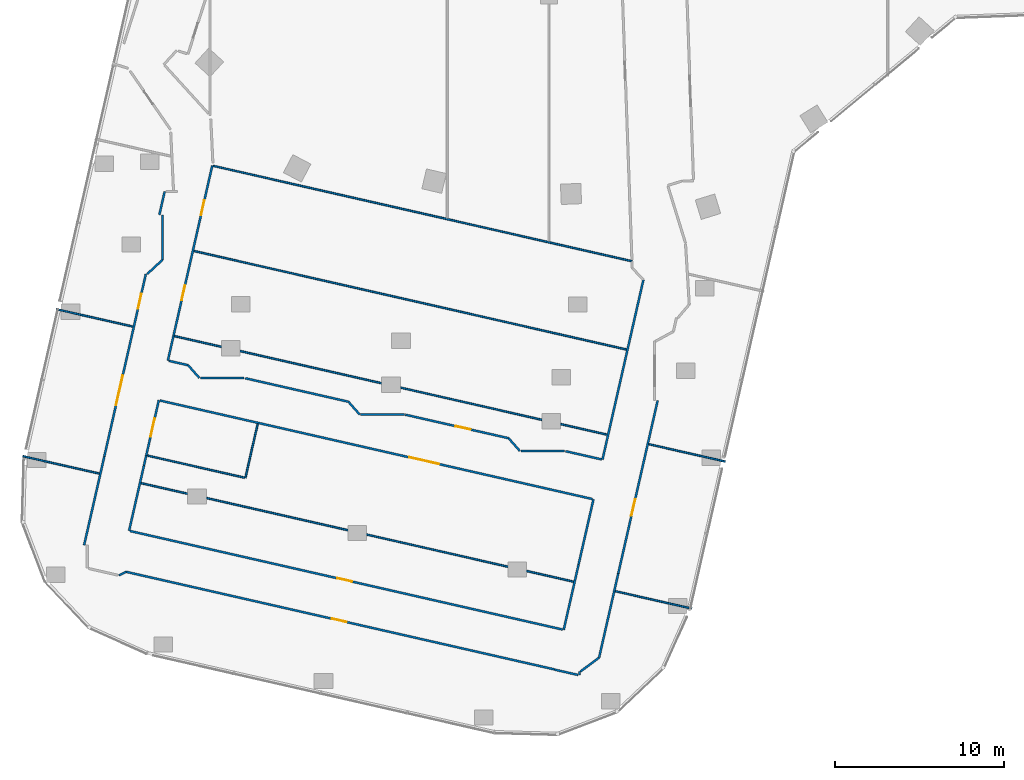
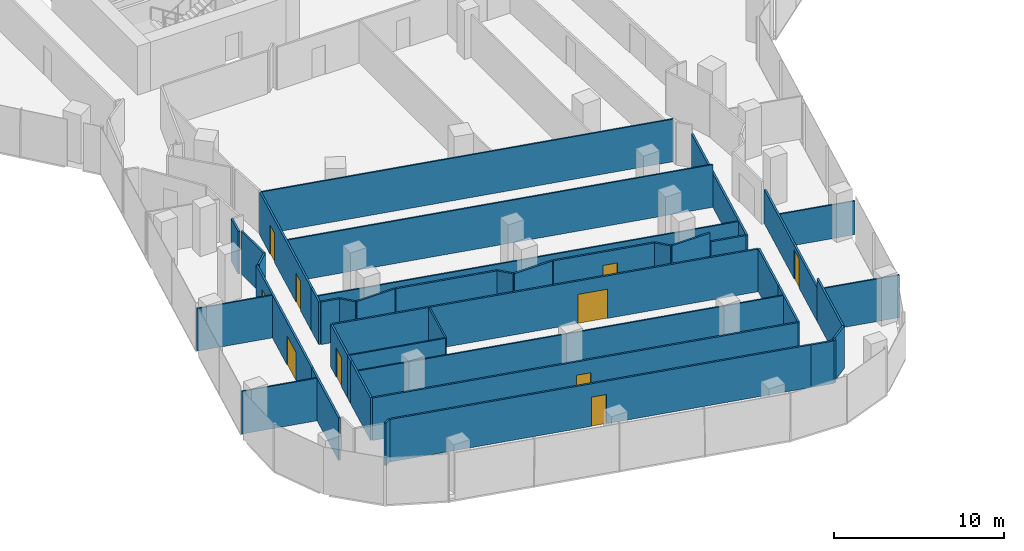
# One storey, part 18 of 23: 42 walls, 10 doors, 10 openings.
"""IFC4 building model written with IfcOpenShell, lengths in metres."""

from ifc_helpers import new_model, si_unit, direction, frame, frame_2d, origin, place, context, subcontext, project, spatial, rectangle, extrude, material, layer, layer_set, type_object, element, fill, save


model = new_model("IFC4")

# Units and contexts
model_context = context("Model", 3, precision=1e-05, world=origin(), true_north=direction((0.0, 1.0)))
body_context = subcontext(model_context, "Body", "Model", "MODEL_VIEW")
ifc_project = project(units=[si_unit("LENGTHUNIT", "METRE"), si_unit("AREAUNIT", "SQUARE_METRE"), si_unit("VOLUMEUNIT", "CUBIC_METRE"), si_unit("PLANEANGLEUNIT", "RADIAN"), si_unit("MASSUNIT", "GRAM", prefix="KILO")], contexts=[model_context])

# Site, building, storey
site_placement = place(None, origin())
site = spatial("IfcSite", under=ifc_project, at=site_placement, CompositionType="ELEMENT")
building_placement = place(site_placement, origin())
building = spatial("IfcBuilding", under=site, at=building_placement, Name="Orlundy Tower", CompositionType="ELEMENT")
storey_placement = place(building_placement, frame((0.0, 0.0, 181.10009765625)))
storey = spatial("IfcBuildingStorey", under=building, at=storey_placement, Name="L47", CompositionType="ELEMENT", Elevation=181.10009765625)

# Walls
ifc_material_1 = material(Name="Gypsum board partition")
ifc_layer_1 = layer(ifc_material_1, 0.10009765625)
ifc_layer_set_1 = layer_set([ifc_layer_1], Name="Floor partition 100")
wall_type_1 = type_object("IfcWallType", Name="Floor partition 100", PredefinedType="PARTITIONING", material=ifc_layer_set_1)
wall_1_placement = place(storey_placement, frame((-31.049072265625, -45.131103515625, 0.0), z_axis=(0.0, 0.0, 1.0), x_axis=(0.975044716765, -0.22200855909, 0.0)))
element("IfcWall", 1, at=wall_1_placement, inside=storey, type_object=wall_type_1, Name="wall-int-L47-019", PredefinedType="PARTITIONING", context=body_context, shape_type="SweptSolid", body=[
    extrude(rectangle(XDim=4.629638671875, YDim=0.10009765625, at=frame_2d((2.31494140625, 0.0))), origin(), (0.0, 0.0, 1.0), 3.059814453125),
])
wall_2_placement = place(storey_placement, frame((-24.072021484375, -46.719970703125, 0.0), z_axis=(0.0, 0.0, 1.0), x_axis=(0.975013747988, -0.222144527805, 0.0)))
element("IfcWall", 2, at=wall_2_placement, inside=storey, type_object=wall_type_1, Name="wall-int-L47-020", PredefinedType="PARTITIONING", context=body_context, shape_type="SweptSolid", body=[
    extrude(rectangle(XDim=26.186279296875, YDim=0.10009765625, at=frame_2d((13.09326171875, 0.0))), origin(), (0.0, 0.0, 1.0), 3.059814453125),
])
wall_3_placement = place(storey_placement, frame((3.923095703125, -53.097900390625, 0.0), z_axis=(0.0, 0.0, 1.0), x_axis=(0.975005836175, -0.222179250661, 0.0)))
element("IfcWall", 3, at=wall_3_placement, inside=storey, type_object=wall_type_1, Name="wall-int-L47-021", PredefinedType="PARTITIONING", context=body_context, shape_type="SweptSolid", body=[
    extrude(rectangle(XDim=4.631591796875, YDim=0.10009765625, at=frame_2d((2.31591796875, 0.0))), origin(), (0.0, 0.0, 1.0), 3.059814453125),
])
wall_4_placement = place(storey_placement, frame((-23.700927734375, -45.092041015625, 0.0), z_axis=(0.0, 0.0, 1.0), x_axis=(0.9750468239, -0.22199930451, 0.0)))
element("IfcWall", 4, at=wall_4_placement, inside=storey, type_object=wall_type_1, Name="wall-int-L47-022", PredefinedType="PARTITIONING", context=body_context, shape_type="SweptSolid", body=[
    extrude(rectangle(XDim=5.886962890625, YDim=0.10009765625, at=frame_2d((2.943359375, 0.0))), origin(), (0.0, 0.0, 1.0), 3.059814453125),
])
wall_5_placement = place(storey_placement, frame((-29.072998046875, -36.452880859375, 0.0), z_axis=(0.0, 0.0, 1.0), x_axis=(0.975041099452, -0.222024445455, 0.0)))
element("IfcWall", 5, at=wall_5_placement, inside=storey, type_object=wall_type_1, Name="wall-int-L47-028", PredefinedType="PARTITIONING", context=body_context, shape_type="SweptSolid", body=[
    extrude(rectangle(XDim=4.63037109375, YDim=0.10009765625, at=frame_2d((2.315185546875, 0.0))), origin(), (0.0, 0.0, 1.0), 3.059814453125),
])
wall_6_placement = place(storey_placement, frame((-20.950927734375, -33.01904296875, 0.0), z_axis=(0.0, 0.0, 1.0), x_axis=(0.975025683381, -0.222092135715, 0.0)))
element("IfcWall", 6, at=wall_6_placement, inside=storey, type_object=wall_type_1, Name="wall-int-L47-031", PredefinedType="PARTITIONING", context=body_context, shape_type="SweptSolid", body=[
    extrude(rectangle(XDim=26.18701171875, YDim=0.10009765625, at=frame_2d((13.093505859375, 0.0))), origin(), (0.0, 0.0, 1.0), 3.059814453125),
])
wall_7_placement = place(storey_placement, frame((-19.805908203125, -27.993896484375, 0.0), z_axis=(0.0, 0.0, 1.0), x_axis=(0.975023541408, -0.222101539165, 0.0)))
element("IfcWall", 7, at=wall_7_placement, inside=storey, type_object=wall_type_1, Name="wall-int-L47-033", PredefinedType="PARTITIONING", context=body_context, shape_type="SweptSolid", body=[
    extrude(rectangle(XDim=25.344970703125, YDim=0.10009765625, at=frame_2d((12.67236328125, 0.0))), origin(), (0.0, 0.0, 1.0), 3.059814453125),
])
wall_8_placement = place(storey_placement, frame((-17.912109375, -46.409912109375, 0.0), z_axis=(0.0, 0.0, 1.0), x_axis=(0.222131144085, 0.975016797203, 0.0)))
element("IfcWall", 8, at=wall_8_placement, inside=storey, type_object=wall_type_1, Name="wall-int-L47-073", PredefinedType="PARTITIONING", context=body_context, shape_type="SweptSolid", body=[
    extrude(rectangle(XDim=3.2685546875, YDim=0.10009765625, at=frame_2d((1.63427734375, 0.0))), origin(), (0.0, 0.0, 1.0), 3.059814453125),
])
ifc_material_2 = material(Name="Gypsum board partition")
ifc_layer_2 = layer(ifc_material_2, 0.10009765625)
ifc_layer_set_2 = layer_set([ifc_layer_2], Name="Floor partition 100 B")
wall_type_2 = type_object("IfcWallType", Name="Floor partition 100 B", PredefinedType="PARTITIONING", material=ifc_layer_set_2)
wall_9_placement = place(storey_placement, frame((-22.094970703125, -38.04296875, 0.0), z_axis=(0.0, 0.0, 1.0), x_axis=(0.975023843859, -0.222100211404, 0.0)))
element("IfcWall", 9, at=wall_9_placement, inside=storey, type_object=wall_type_2, Name="wall-int-L47-029", PredefinedType="PARTITIONING", context=body_context, shape_type="SweptSolid", body=[
    extrude(rectangle(XDim=26.18603515625, YDim=0.10009765625, at=frame_2d((13.093017578125, 0.0))), origin(), (0.0, 0.0, 1.0), 2.4248046875),
])
wall_10_placement = place(storey_placement, frame((5.89990234375, -44.419921875, 0.0), z_axis=(0.0, 0.0, 1.0), x_axis=(0.975008438008, -0.222167832534, 0.0)))
element("IfcWall", 10, at=wall_10_placement, inside=storey, type_object=wall_type_2, Name="wall-int-L47-030", PredefinedType="PARTITIONING", context=body_context, shape_type="SweptSolid", body=[
    extrude(rectangle(XDim=4.6318359375, YDim=0.10009765625, at=frame_2d((2.31591796875, 0.0))), origin(), (0.0, 0.0, 1.0), 2.4248046875),
])
ifc_material_3 = material(Name="Gypsum board partition, double layer")
ifc_layer_3 = layer(ifc_material_3, 0.125)
ifc_layer_set_3 = layer_set([ifc_layer_3], Name="Floor partition 125")
wall_type_3 = type_object("IfcWallType", Name="Floor partition 125", PredefinedType="PARTITIONING", material=ifc_layer_set_3)
wall_11_placement = place(storey_placement, frame((0.342041015625, -57.72900390625, 0.0), z_axis=(0.0, 0.0, 1.0), x_axis=(0.975078596589, -0.22185970899, 0.0)))
element("IfcWall", 11, at=wall_11_placement, inside=storey, type_object=wall_type_3, Name="wall-int-L47-016", PredefinedType="PARTITIONING", context=body_context, shape_type="SweptSolid", body=[
    extrude(rectangle(XDim=1.4150390625, YDim=0.125, at=frame_2d((0.70751953125, 0.0))), origin(), (0.0, 0.0, 1.0), 3.059814453125),
])

# Wall, opening, door
wall_12_placement = place(storey_placement, frame((0.343994140625, -57.718994140625, 0.0), z_axis=(0.0, 0.0, 1.0), x_axis=(-0.97501877272, 0.222122472621, 0.0)))
wall_12 = element("IfcWall", 12, at=wall_12_placement, inside=storey, type_object=wall_type_3, Name="wall-int-L47-017", PredefinedType="PARTITIONING", context=body_context, shape_type="SweptSolid", body=[
    extrude(rectangle(XDim=25.94921875, YDim=0.125, at=frame_2d((12.974609375, 0.0))), origin(), (0.0, 0.0, 1.0), 3.059814453125),
])
opening_1_placement = place(wall_12_placement, frame((12.60009765625, 0.0, 0.0)))
opening_1 = element("IfcOpeningElement", 13, at=opening_1_placement, cuts=wall_12, Name="Opening 36107", PredefinedType="OPENING", context=body_context, shape_type="SweptSolid", body=[
    extrude(rectangle(XDim=0.89990234375, YDim=2.10009765625, at=frame_2d((0.449951171875, 1.050048828125))), frame((0.0, 0.072509765625, 0.0), z_axis=(0.0, -1.0, 0.0), x_axis=(1.0, 0.0, 0.0)), (0.0, 0.0, 1.0), 0.14501953125),
])
ifc_material_4 = material(Name="Timber door leaf", Category="wood")
door_type_1 = type_object("IfcDoorType", Name="Floor door single 900 FD30S", OperationType="NOTDEFINED", PredefinedType="DOOR", material=ifc_material_4)
door_1_placement = place(opening_1_placement, origin())
door_1 = element("IfcDoor", 14, at=door_1_placement, inside=storey, type_object=door_type_1, Name="Door 36107", OperationType="SINGLE_SWING_RIGHT", OverallHeight=2.10009765625, OverallWidth=0.89990234375, PredefinedType="DOOR", context=body_context, shape_type="SweptSolid", body=[
    extrude(rectangle(XDim=0.89990234375, YDim=2.10009765625, at=frame_2d((0.449951171875, 1.050048828125))), frame((0.0, 0.02490234375, 0.0), z_axis=(0.0, -1.0, 0.0), x_axis=(1.0, 0.0, 0.0)), (0.0, 0.0, 1.0), 0.050048828125),
])
fill(opening_1, door_1)

wall_13_placement = place(storey_placement, frame((-24.716064453125, -49.548095703125, 0.0), z_axis=(0.0, 0.0, 1.0), x_axis=(0.975023843859, -0.222100211404, 0.0)))
wall_13 = element("IfcWall", 15, at=wall_13_placement, inside=storey, type_object=wall_type_3, Name="wall-int-L47-018", PredefinedType="PARTITIONING", context=body_context, shape_type="SweptSolid", body=[
    extrude(rectangle(XDim=26.18603515625, YDim=0.125, at=frame_2d((13.093017578125, 0.0))), origin(), (0.0, 0.0, 1.0), 3.059814453125),
])
opening_2_placement = place(wall_13_placement, frame((12.53759765625, 0.0, 0.0)))
opening_2 = element("IfcOpeningElement", 16, at=opening_2_placement, cuts=wall_13, Name="Opening 36106", PredefinedType="OPENING", context=body_context, shape_type="SweptSolid", body=[
    extrude(rectangle(XDim=0.89990234375, YDim=2.10009765625, at=frame_2d((0.449951171875, 1.050048828125))), frame((0.0, 0.072509765625, 0.0), z_axis=(0.0, -1.0, 0.0), x_axis=(1.0, 0.0, 0.0)), (0.0, 0.0, 1.0), 0.14501953125),
])
door_2_placement = place(opening_2_placement, origin())
door_2 = element("IfcDoor", 17, at=door_2_placement, inside=storey, type_object=door_type_1, Name="Door 36106", OperationType="SINGLE_SWING_LEFT", OverallHeight=2.10009765625, OverallWidth=0.89990234375, PredefinedType="DOOR", context=body_context, shape_type="SweptSolid", body=[
    extrude(rectangle(XDim=0.89990234375, YDim=2.10009765625, at=frame_2d((0.449951171875, 1.050048828125))), frame((0.0, 0.02490234375, 0.0), z_axis=(0.0, -1.0, 0.0), x_axis=(1.0, 0.0, 0.0)), (0.0, 0.0, 1.0), 0.050048828125),
])
fill(opening_2, door_2)

wall_14_placement = place(storey_placement, frame((2.571044921875, -47.658935546875, 0.0), z_axis=(0.0, 0.0, 1.0), x_axis=(-0.975023843859, 0.222100211404, 0.0)))
wall_14 = element("IfcWall", 18, at=wall_14_placement, inside=storey, type_object=wall_type_3, Name="wall-int-L47-023", PredefinedType="PARTITIONING", context=body_context, shape_type="SweptSolid", body=[
    extrude(rectangle(XDim=26.18603515625, YDim=0.125, at=frame_2d((13.093017578125, 0.0))), origin(), (0.0, 0.0, 1.0), 3.059814453125),
])
opening_3_placement = place(wall_14_placement, frame((9.28662109375, 0.0, 0.0)))
opening_3 = element("IfcOpeningElement", 19, at=opening_3_placement, cuts=wall_14, Name="Opening 36105", PredefinedType="OPENING", context=body_context, shape_type="SweptSolid", body=[
    extrude(rectangle(XDim=1.800048828125, YDim=2.10009765625, at=frame_2d((0.89990234375, 1.050048828125))), frame((0.0, 0.072509765625, 0.0), z_axis=(0.0, -1.0, 0.0), x_axis=(1.0, 0.0, 0.0)), (0.0, 0.0, 1.0), 0.14501953125),
])
ifc_material_5 = material(Name="Timber door leaf", Category="wood")
door_type_2 = type_object("IfcDoorType", Name="Floor door double 1800 FD30S", OperationType="NOTDEFINED", PredefinedType="DOOR", material=ifc_material_5)
door_3_placement = place(opening_3_placement, origin())
door_3 = element("IfcDoor", 20, at=door_3_placement, inside=storey, type_object=door_type_2, Name="Door 36105", OperationType="DOUBLE_DOOR_SINGLE_SWING", OverallHeight=2.10009765625, OverallWidth=1.800048828125, PredefinedType="DOOR", context=body_context, shape_type="SweptSolid", body=[
    extrude(rectangle(XDim=1.800048828125, YDim=2.10009765625, at=frame_2d((0.89990234375, 1.050048828125))), frame((0.0, 0.02490234375, 0.0), z_axis=(0.0, -1.0, 0.0), x_axis=(1.0, 0.0, 0.0)), (0.0, 0.0, 1.0), 0.050048828125),
])
fill(opening_3, door_3)

# Walls
wall_15_placement = place(storey_placement, frame((-22.427001953125, -39.501953125, 0.0), z_axis=(0.0, 0.0, 1.0), x_axis=(0.97511430892, -0.221702694026, 0.0)))
element("IfcWall", 21, at=wall_15_placement, inside=storey, type_object=wall_type_3, Name="wall-int-L47-024", PredefinedType="PARTITIONING", context=body_context, shape_type="SweptSolid", body=[
    extrude(rectangle(XDim=1.1640625, YDim=0.125, at=frame_2d((0.58203125, 0.0))), origin(), (0.0, 0.0, 1.0), 3.059814453125),
])
wall_16_placement = place(storey_placement, frame((-17.924072265625, -40.528076171875, 0.0), z_axis=(0.0, 0.0, 1.0), x_axis=(0.975041788435, -0.2220214197, 0.0)))
element("IfcWall", 22, at=wall_16_placement, inside=storey, type_object=wall_type_3, Name="wall-int-L47-025", PredefinedType="PARTITIONING", context=body_context, shape_type="SweptSolid", body=[
    extrude(rectangle(XDim=6.2470703125, YDim=0.125, at=frame_2d((3.12353515625, 0.0))), origin(), (0.0, 0.0, 1.0), 3.059814453125),
])

# Wall, opening, door
wall_17_placement = place(storey_placement, frame((-8.468994140625, -42.681884765625, 0.0), z_axis=(0.0, 0.0, 1.0), x_axis=(0.975048737106, -0.22199090132, 0.0)))
wall_17 = element("IfcWall", 23, at=wall_17_placement, inside=storey, type_object=wall_type_3, Name="wall-int-L47-026", PredefinedType="PARTITIONING", context=body_context, shape_type="SweptSolid", body=[
    extrude(rectangle(XDim=6.2490234375, YDim=0.125, at=frame_2d((3.12451171875, 0.0))), origin(), (0.0, 0.0, 1.0), 3.059814453125),
])
opening_4_placement = place(wall_17_placement, frame((3.03759765625, 0.0, 0.0)))
opening_4 = element("IfcOpeningElement", 24, at=opening_4_placement, cuts=wall_17, Name="Opening 36104", PredefinedType="OPENING", context=body_context, shape_type="SweptSolid", body=[
    extrude(rectangle(XDim=0.89990234375, YDim=2.10009765625, at=frame_2d((0.449951171875, 1.050048828125))), frame((0.0, 0.072509765625, 0.0), z_axis=(0.0, -1.0, 0.0), x_axis=(1.0, 0.0, 0.0)), (0.0, 0.0, 1.0), 0.14501953125),
])
door_4_placement = place(opening_4_placement, origin())
door_4 = element("IfcDoor", 25, at=door_4_placement, inside=storey, type_object=door_type_1, Name="Door 36104", OperationType="SINGLE_SWING_RIGHT", OverallHeight=2.10009765625, OverallWidth=0.89990234375, PredefinedType="DOOR", context=body_context, shape_type="SweptSolid", body=[
    extrude(rectangle(XDim=0.89990234375, YDim=2.10009765625, at=frame_2d((0.449951171875, 1.050048828125))), frame((0.0, 0.02490234375, 0.0), z_axis=(0.0, -1.0, 0.0), x_axis=(1.0, 0.0, 0.0)), (0.0, 0.0, 1.0), 0.050048828125),
])
fill(opening_4, door_4)

# Walls
wall_18_placement = place(storey_placement, frame((1.861083984375, -57.842041015625, 0.0), z_axis=(0.0, 0.0, 1.0), x_axis=(0.803188576955, 0.595724860862, 0.0)))
element("IfcWall", 26, at=wall_18_placement, inside=storey, type_object=wall_type_3, Name="wall-int-L47-035", PredefinedType="PARTITIONING", context=body_context, shape_type="SweptSolid", body=[
    extrude(rectangle(XDim=1.373291015625, YDim=0.125, at=frame_2d((0.6865234375, 0.0))), origin(), (0.0, 0.0, 1.0), 3.059814453125),
])
wall_19_placement = place(storey_placement, frame((-1.65087890625, -44.822021484375, 0.0), z_axis=(0.0, 0.0, 1.0), x_axis=(1.0, 0.0, 0.0)))
element("IfcWall", 27, at=wall_19_placement, inside=storey, type_object=wall_type_3, Name="wall-int-L47-036", PredefinedType="PARTITIONING", context=body_context, shape_type="SweptSolid", body=[
    extrude(rectangle(XDim=2.580810546875, YDim=0.125, at=frame_2d((1.29052734375, 0.0))), origin(), (0.0, 0.0, 1.0), 3.059814453125),
])
wall_20_placement = place(storey_placement, frame((-11.10693359375, -42.6669921875, 0.0), z_axis=(0.0, 0.0, 1.0), x_axis=(1.0, 0.0, 0.0)))
element("IfcWall", 28, at=wall_20_placement, inside=storey, type_object=wall_type_3, Name="wall-int-L47-037", PredefinedType="PARTITIONING", context=body_context, shape_type="SweptSolid", body=[
    extrude(rectangle(XDim=2.576904296875, YDim=0.125, at=frame_2d((1.28857421875, 0.0))), origin(), (0.0, 0.0, 1.0), 3.059814453125),
])
wall_21_placement = place(storey_placement, frame((-20.56689453125, -40.512939453125, 0.0), z_axis=(0.0, 0.0, 1.0), x_axis=(1.0, 0.0, 0.0)))
element("IfcWall", 29, at=wall_21_placement, inside=storey, type_object=wall_type_3, Name="wall-int-L47-038", PredefinedType="PARTITIONING", context=body_context, shape_type="SweptSolid", body=[
    extrude(rectangle(XDim=2.581787109375, YDim=0.125, at=frame_2d((1.291015625, 0.0))), origin(), (0.0, 0.0, 1.0), 3.059814453125),
])
wall_22_placement = place(storey_placement, frame((-23.708984375, -34.381103515625, 0.0), z_axis=(0.0, 0.0, 1.0), x_axis=(0.732207421562, 0.681081707147, 0.0)))
element("IfcWall", 30, at=wall_22_placement, inside=storey, type_object=wall_type_3, Name="wall-int-L47-040", PredefinedType="PARTITIONING", context=body_context, shape_type="SweptSolid", body=[
    extrude(rectangle(XDim=1.23193359375, YDim=0.125, at=frame_2d((0.615966796875, 0.0))), origin(), (0.0, 0.0, 1.0), 3.059814453125),
])
wall_23_placement = place(storey_placement, frame((4.095947265625, -52.05908203125, 0.0), z_axis=(0.0, 0.0, 1.0), x_axis=(-0.222267590123, -0.974985701629, 0.0)))
element("IfcWall", 31, at=wall_23_placement, inside=storey, type_object=wall_type_3, Name="wall-int-L47-064", PredefinedType="PARTITIONING", context=body_context, shape_type="SweptSolid", body=[
    extrude(rectangle(XDim=5.09228515625, YDim=0.125, at=frame_2d((2.546142578125, 0.0))), origin(), (0.0, 0.0, 1.0), 3.059814453125),
])
wall_24_placement = place(storey_placement, frame((-25.376953125, -52.1669921875, 0.0), z_axis=(0.0, 0.0, 1.0), x_axis=(0.892760073249, 0.450532409058, 0.0)))
element("IfcWall", 32, at=wall_24_placement, inside=storey, type_object=wall_type_3, Name="wall-int-L47-065", PredefinedType="PARTITIONING", context=body_context, shape_type="SweptSolid", body=[
    extrude(rectangle(XDim=0.470458984375, YDim=0.125, at=frame_2d((0.2353515625, 0.0))), origin(), (0.0, 0.0, 1.0), 3.059814453125),
])
wall_25_placement = place(storey_placement, frame((-23.89892578125, -45.680908203125, 0.0), z_axis=(0.0, 0.0, 1.0), x_axis=(-0.222219189768, -0.974996734199, 0.0)))
element("IfcWall", 33, at=wall_25_placement, inside=storey, type_object=wall_type_3, Name="wall-int-L47-066", PredefinedType="PARTITIONING", context=body_context, shape_type="SweptSolid", body=[
    extrude(rectangle(XDim=3.951904296875, YDim=0.125, at=frame_2d((1.97607421875, 0.0))), origin(), (0.0, 0.0, 1.0), 3.059814453125),
])
wall_26_placement = place(storey_placement, frame((-26.239990234375, -45.14794921875, 0.0), z_axis=(0.0, 0.0, 1.0), x_axis=(-0.222031920234, -0.975039397356, 0.0)))
element("IfcWall", 34, at=wall_26_placement, inside=storey, type_object=wall_type_3, Name="wall-int-L47-067", PredefinedType="PARTITIONING", context=body_context, shape_type="SweptSolid", body=[
    extrude(rectangle(XDim=5.3681640625, YDim=0.125, at=frame_2d((2.68408203125, 0.0))), origin(), (0.0, 0.0, 1.0), 3.059814453125),
])
wall_27_placement = place(storey_placement, frame((1.7548828125, -51.52490234375, 0.0), z_axis=(0.0, 0.0, 1.0), x_axis=(-0.222160460256, -0.975010117844, 0.0)))
element("IfcWall", 35, at=wall_27_placement, inside=storey, type_object=wall_type_3, Name="wall-int-L47-070", PredefinedType="PARTITIONING", context=body_context, shape_type="SweptSolid", body=[
    extrude(rectangle(XDim=3.95166015625, YDim=0.125, at=frame_2d((1.975830078125, 0.0))), origin(), (0.0, 0.0, 1.0), 3.059814453125),
])
wall_28_placement = place(storey_placement, frame((1.7548828125, -51.52490234375, 0.0), z_axis=(0.0, 0.0, 1.0), x_axis=(0.222286135557, 0.974981473639, 0.0)))
element("IfcWall", 36, at=wall_28_placement, inside=storey, type_object=wall_type_3, Name="wall-int-L47-071", PredefinedType="PARTITIONING", context=body_context, shape_type="SweptSolid", body=[
    extrude(rectangle(XDim=3.95068359375, YDim=0.125, at=frame_2d((1.975341796875, 0.0))), origin(), (0.0, 0.0, 1.0), 3.059814453125),
])

# Wall, opening, door
wall_29_placement = place(storey_placement, frame((-23.02197265625, -41.8291015625, 0.0), z_axis=(0.0, 0.0, 1.0), x_axis=(-0.222150102986, -0.975012477737, 0.0)))
wall_29 = element("IfcWall", 37, at=wall_29_placement, inside=storey, type_object=wall_type_3, Name="wall-int-L47-074", PredefinedType="PARTITIONING", context=body_context, shape_type="SweptSolid", body=[
    extrude(rectangle(XDim=3.3310546875, YDim=0.125, at=frame_2d((1.66552734375, 0.0))), origin(), (0.0, 0.0, 1.0), 3.059814453125),
])
opening_5_placement = place(wall_29_placement, frame((1.10009765625, 0.0, 0.0)))
opening_5 = element("IfcOpeningElement", 38, at=opening_5_placement, cuts=wall_29, Name="Opening 36126", PredefinedType="OPENING", context=body_context, shape_type="SweptSolid", body=[
    extrude(rectangle(XDim=1.10009765625, YDim=2.10009765625, at=frame_2d((0.550048828125, 1.050048828125))), frame((0.0, 0.072509765625, 0.0), z_axis=(0.0, -1.0, 0.0), x_axis=(1.0, 0.0, 0.0)), (0.0, 0.0, 1.0), 0.14501953125),
])
ifc_material_6 = material(Name="Timber door leaf", Category="wood")
door_type_3 = type_object("IfcDoorType", Name="Floor door xwide 1100 FD30S", OperationType="NOTDEFINED", PredefinedType="DOOR", material=ifc_material_6)
door_5_placement = place(opening_5_placement, origin())
door_5 = element("IfcDoor", 39, at=door_5_placement, inside=storey, type_object=door_type_3, Name="Door 36126", OperationType="SINGLE_SWING_LEFT", OverallHeight=2.10009765625, OverallWidth=1.10009765625, PredefinedType="DOOR", context=body_context, shape_type="SweptSolid", body=[
    extrude(rectangle(XDim=1.10009765625, YDim=2.10009765625, at=frame_2d((0.550048828125, 1.050048828125))), frame((0.0, 0.02490234375, 0.0), z_axis=(0.0, -1.0, 0.0), x_axis=(1.0, 0.0, 0.0)), (0.0, 0.0, 1.0), 0.050048828125),
])
fill(opening_5, door_5)

# Wall, openings, doors
wall_30_placement = place(storey_placement, frame((-19.867919921875, -27.98193359375, 0.0), z_axis=(0.0, 0.0, 1.0), x_axis=(-0.222050161604, -0.975035243328, 0.0)))
wall_30 = element("IfcWall", 40, at=wall_30_placement, inside=storey, type_object=wall_type_3, Name="wall-int-L47-075", PredefinedType="PARTITIONING", context=body_context, shape_type="SweptSolid", body=[
    extrude(rectangle(XDim=10.304443359375, YDim=0.125, at=frame_2d((5.15234375, 0.0))), origin(), (0.0, 0.0, 1.0), 3.059814453125),
])
opening_6_placement = place(wall_30_placement, frame((2.09814453125, 0.0, 0.0)))
opening_6 = element("IfcOpeningElement", 41, at=opening_6_placement, cuts=wall_30, Name="Opening 36102", PredefinedType="OPENING", context=body_context, shape_type="SweptSolid", body=[
    extrude(rectangle(XDim=0.89990234375, YDim=2.10009765625, at=frame_2d((0.449951171875, 1.050048828125))), frame((0.0, 0.072509765625, 0.0), z_axis=(0.0, -1.0, 0.0), x_axis=(1.0, 0.0, 0.0)), (0.0, 0.0, 1.0), 0.14501953125),
])
opening_7_placement = place(wall_30_placement, frame((7.251953125, 0.0, 0.0)))
opening_7 = element("IfcOpeningElement", 42, at=opening_7_placement, cuts=wall_30, Name="Opening 36103", PredefinedType="OPENING", context=body_context, shape_type="SweptSolid", body=[
    extrude(rectangle(XDim=0.89990234375, YDim=2.10009765625, at=frame_2d((0.449951171875, 1.050048828125))), frame((0.0, 0.072509765625, 0.0), z_axis=(0.0, -1.0, 0.0), x_axis=(1.0, 0.0, 0.0)), (0.0, 0.0, 1.0), 0.14501953125),
])
door_6_placement = place(opening_6_placement, origin())
door_6 = element("IfcDoor", 43, at=door_6_placement, inside=storey, type_object=door_type_1, Name="Door 36102", OperationType="SINGLE_SWING_LEFT", OverallHeight=2.10009765625, OverallWidth=0.89990234375, PredefinedType="DOOR", context=body_context, shape_type="SweptSolid", body=[
    extrude(rectangle(XDim=0.89990234375, YDim=2.10009765625, at=frame_2d((0.449951171875, 1.050048828125))), frame((0.0, 0.02490234375, 0.0), z_axis=(0.0, -1.0, 0.0), x_axis=(1.0, 0.0, 0.0)), (0.0, 0.0, 1.0), 0.050048828125),
])
fill(opening_6, door_6)
door_7_placement = place(opening_7_placement, origin())
door_7 = element("IfcDoor", 44, at=door_7_placement, inside=storey, type_object=door_type_1, Name="Door 36103", OperationType="SINGLE_SWING_RIGHT", OverallHeight=2.10009765625, OverallWidth=0.89990234375, PredefinedType="DOOR", context=body_context, shape_type="SweptSolid", body=[
    extrude(rectangle(XDim=0.89990234375, YDim=2.10009765625, at=frame_2d((0.449951171875, 1.050048828125))), frame((0.0, 0.02490234375, 0.0), z_axis=(0.0, -1.0, 0.0), x_axis=(1.0, 0.0, 0.0)), (0.0, 0.0, 1.0), 0.050048828125),
])
fill(opening_7, door_7)

# Walls
wall_31_placement = place(storey_placement, frame((-23.89892578125, -45.680908203125, 0.0), z_axis=(0.0, 0.0, 1.0), x_axis=(0.221484587938, 0.975163872027, 0.0)))
element("IfcWall", 45, at=wall_31_placement, inside=storey, type_object=wall_type_3, Name="wall-int-L47-076", PredefinedType="PARTITIONING", context=body_context, shape_type="SweptSolid", body=[
    extrude(rectangle(XDim=0.618408203125, YDim=0.125, at=frame_2d((0.30908203125, 0.0))), origin(), (0.0, 0.0, 1.0), 3.059814453125),
])
wall_32_placement = place(storey_placement, frame((-22.488037109375, -39.488037109375, 0.0), z_axis=(0.0, 0.0, 1.0), x_axis=(0.221903185503, 0.975068703356, 0.0)))
element("IfcWall", 46, at=wall_32_placement, inside=storey, type_object=wall_type_3, Name="wall-int-L47-077", PredefinedType="PARTITIONING", context=body_context, shape_type="SweptSolid", body=[
    extrude(rectangle(XDim=1.496337890625, YDim=0.125, at=frame_2d((0.748046875, 0.0))), origin(), (0.0, 0.0, 1.0), 3.059814453125),
])

# Wall, openings, doors
wall_33_placement = place(storey_placement, frame((-26.239990234375, -45.14794921875, 0.0), z_axis=(0.0, 0.0, 1.0), x_axis=(0.22206165199, 0.975032626488, 0.0)))
wall_33 = element("IfcWall", 47, at=wall_33_placement, inside=storey, type_object=wall_type_3, Name="wall-int-L47-078", PredefinedType="PARTITIONING", context=body_context, shape_type="SweptSolid", body=[
    extrude(rectangle(XDim=11.04150390625, YDim=0.125, at=frame_2d((5.520751953125, 0.0))), origin(), (0.0, 0.0, 1.0), 3.059814453125),
])
opening_8_placement = place(wall_33_placement, frame((8.948974609375, 0.0, 0.0)))
opening_8 = element("IfcOpeningElement", 48, at=opening_8_placement, cuts=wall_33, Name="Opening 36108", PredefinedType="OPENING", context=body_context, shape_type="SweptSolid", body=[
    extrude(rectangle(XDim=0.89990234375, YDim=2.10009765625, at=frame_2d((0.449951171875, 1.050048828125))), frame((0.0, 0.072509765625, 0.0), z_axis=(0.0, -1.0, 0.0), x_axis=(1.0, 0.0, 0.0)), (0.0, 0.0, 1.0), 0.14501953125),
])
opening_9_placement = place(wall_33_placement, frame((3.10009765625, 0.0, 0.0)))
opening_9 = element("IfcOpeningElement", 49, at=opening_9_placement, cuts=wall_33, Name="Opening 36109", PredefinedType="OPENING", context=body_context, shape_type="SweptSolid", body=[
    extrude(rectangle(XDim=1.800048828125, YDim=2.10009765625, at=frame_2d((0.89990234375, 1.050048828125))), frame((0.0, 0.072509765625, 0.0), z_axis=(0.0, -1.0, 0.0), x_axis=(1.0, 0.0, 0.0)), (0.0, 0.0, 1.0), 0.14501953125),
])
door_8_placement = place(opening_9_placement, origin())
door_8 = element("IfcDoor", 50, at=door_8_placement, inside=storey, type_object=door_type_2, Name="Door 36109", OperationType="DOUBLE_DOOR_SINGLE_SWING", OverallHeight=2.10009765625, OverallWidth=1.800048828125, PredefinedType="DOOR", context=body_context, shape_type="SweptSolid", body=[
    extrude(rectangle(XDim=1.800048828125, YDim=2.10009765625, at=frame_2d((0.89990234375, 1.050048828125))), frame((0.0, 0.02490234375, 0.0), z_axis=(0.0, -1.0, 0.0), x_axis=(1.0, 0.0, 0.0)), (0.0, 0.0, 1.0), 0.050048828125),
])
fill(opening_9, door_8)
door_9_placement = place(opening_8_placement, origin())
door_9 = element("IfcDoor", 51, at=door_9_placement, inside=storey, type_object=door_type_1, Name="Door 36108", OperationType="SINGLE_SWING_RIGHT", OverallHeight=2.10009765625, OverallWidth=0.89990234375, PredefinedType="DOOR", context=body_context, shape_type="SweptSolid", body=[
    extrude(rectangle(XDim=0.89990234375, YDim=2.10009765625, at=frame_2d((0.449951171875, 1.050048828125))), frame((0.0, 0.02490234375, 0.0), z_axis=(0.0, -1.0, 0.0), x_axis=(1.0, 0.0, 0.0)), (0.0, 0.0, 1.0), 0.050048828125),
])
fill(opening_8, door_9)

# Walls
wall_34_placement = place(storey_placement, frame((-22.989990234375, -30.882080078125, 0.0), z_axis=(0.0, 0.0, 1.0), x_axis=(0.221950340639, 0.975057970733, 0.0)))
element("IfcWall", 52, at=wall_34_placement, inside=storey, type_object=wall_type_3, Name="wall-int-L47-079", PredefinedType="PARTITIONING", context=body_context, shape_type="SweptSolid", body=[
    extrude(rectangle(XDim=1.41015625, YDim=0.125, at=frame_2d((0.705078125, 0.0))), origin(), (0.0, 0.0, 1.0), 3.059814453125),
])
wall_35_placement = place(storey_placement, frame((1.798095703125, -58.06005859375, 0.0), z_axis=(0.0, 0.0, 1.0), x_axis=(0.0, 1.0, 0.0)))
element("IfcWall", 53, at=wall_35_placement, inside=storey, type_object=wall_type_3, Name="wall-int-L47-087", PredefinedType="PARTITIONING", context=body_context, shape_type="SweptSolid", body=[
    extrude(rectangle(XDim=0.218017578125, YDim=0.125, at=frame_2d((0.10888671875, 0.0))), origin(), (0.0, 0.0, 1.0), 3.059814453125),
])
wall_36_placement = place(storey_placement, frame((-1.712890625, -44.822021484375, 0.0), z_axis=(0.0, 0.0, 1.0), x_axis=(-0.660913097692, 0.750462442298, 0.0)))
element("IfcWall", 54, at=wall_36_placement, inside=storey, type_object=wall_type_3, Name="wall-int-L47-090", PredefinedType="PARTITIONING", context=body_context, shape_type="SweptSolid", body=[
    extrude(rectangle(XDim=1.003173828125, YDim=0.125, at=frame_2d((0.50146484375, 0.0))), origin(), (0.0, 0.0, 1.0), 3.059814453125),
])
wall_37_placement = place(storey_placement, frame((-11.169921875, -42.6669921875, 0.0), z_axis=(0.0, 0.0, 1.0), x_axis=(-0.66139609203, 0.750036805395, 0.0)))
element("IfcWall", 55, at=wall_37_placement, inside=storey, type_object=wall_type_3, Name="wall-int-L47-092", PredefinedType="PARTITIONING", context=body_context, shape_type="SweptSolid", body=[
    extrude(rectangle(XDim=1.00244140625, YDim=0.125, at=frame_2d((0.501220703125, 0.0))), origin(), (0.0, 0.0, 1.0), 3.059814453125),
])
wall_38_placement = place(storey_placement, frame((-20.62890625, -40.512939453125, 0.0), z_axis=(0.0, 0.0, 1.0), x_axis=(-0.660913097692, 0.750462442298, 0.0)))
element("IfcWall", 56, at=wall_38_placement, inside=storey, type_object=wall_type_3, Name="wall-int-L47-095", PredefinedType="PARTITIONING", context=body_context, shape_type="SweptSolid", body=[
    extrude(rectangle(XDim=1.003173828125, YDim=0.125, at=frame_2d((0.50146484375, 0.0))), origin(), (0.0, 0.0, 1.0), 3.059814453125),
])
wall_39_placement = place(storey_placement, frame((-22.806884765625, -33.5419921875, 0.0), z_axis=(0.0, 0.0, 1.0), x_axis=(0.0, 1.0, 0.0)))
element("IfcWall", 57, at=wall_39_placement, inside=storey, type_object=wall_type_3, Name="wall-int-L47-097", PredefinedType="PARTITIONING", context=body_context, shape_type="SweptSolid", body=[
    extrude(rectangle(XDim=2.659912109375, YDim=0.125, at=frame_2d((1.330078125, 0.0))), origin(), (0.0, 0.0, 1.0), 3.059814453125),
])
ifc_material_7 = material(Name="Gypsum board partition, double layer")
ifc_layer_4 = layer(ifc_material_7, 0.125)
ifc_layer_set_4 = layer_set([ifc_layer_4], Name="Floor partition 125 B")
wall_type_4 = type_object("IfcWallType", Name="Floor partition 125 B", PredefinedType="PARTITIONING", material=ifc_layer_set_4)
wall_40_placement = place(storey_placement, frame((0.990966796875, -44.8369140625, 0.0), z_axis=(0.0, 0.0, 1.0), x_axis=(0.97505868901, -0.22194718513, 0.0)))
element("IfcWall", 58, at=wall_40_placement, inside=storey, type_object=wall_type_4, Name="wall-int-L47-027", PredefinedType="PARTITIONING", context=body_context, shape_type="SweptSolid", body=[
    extrude(rectangle(XDim=2.16796875, YDim=0.125, at=frame_2d((1.083984375, 0.0))), origin(), (0.0, 0.0, 1.0), 2.4248046875),
])

# Wall, opening, door
wall_41_placement = place(storey_placement, frame((6.423095703125, -41.842041015625, 0.0), z_axis=(0.0, 0.0, 1.0), x_axis=(-0.222083299456, -0.97502769607, 0.0)))
wall_41 = element("IfcWall", 59, at=wall_41_placement, inside=storey, type_object=wall_type_4, Name="wall-int-L47-068", PredefinedType="PARTITIONING", context=body_context, shape_type="SweptSolid", body=[
    extrude(rectangle(XDim=10.478759765625, YDim=0.125, at=frame_2d((5.2392578125, 0.0))), origin(), (0.0, 0.0, 1.0), 2.4248046875),
])
opening_10_placement = place(wall_41_placement, frame((5.97998046875, 0.0, 0.0)))
opening_10 = element("IfcOpeningElement", 60, at=opening_10_placement, cuts=wall_41, Name="Opening 36101", PredefinedType="OPENING", context=body_context, shape_type="SweptSolid", body=[
    extrude(rectangle(XDim=1.0, YDim=2.10009765625, at=frame_2d((0.5, 1.050048828125))), frame((0.0, 0.072509765625, 0.0), z_axis=(0.0, -1.0, 0.0), x_axis=(1.0, 0.0, 0.0)), (0.0, 0.0, 1.0), 0.14501953125),
])
ifc_material_8 = material(Name="Timber door leaf", Category="wood")
door_type_4 = type_object("IfcDoorType", Name="Floor door wide 1000 FD30S", OperationType="NOTDEFINED", PredefinedType="DOOR", material=ifc_material_8)
door_10_placement = place(opening_10_placement, origin())
door_10 = element("IfcDoor", 61, at=door_10_placement, inside=storey, type_object=door_type_4, Name="Door 36101", OperationType="SINGLE_SWING_RIGHT", OverallHeight=2.10009765625, OverallWidth=1.0, PredefinedType="DOOR", context=body_context, shape_type="SweptSolid", body=[
    extrude(rectangle(XDim=1.0, YDim=2.10009765625, at=frame_2d((0.5, 1.050048828125))), frame((0.0, 0.02490234375, 0.0), z_axis=(0.0, -1.0, 0.0), x_axis=(1.0, 0.0, 0.0)), (0.0, 0.0, 1.0), 0.050048828125),
])
fill(opening_10, door_10)

# Wall
wall_42_placement = place(storey_placement, frame((3.166015625, -45.33203125, 0.0), z_axis=(0.0, 0.0, 1.0), x_axis=(0.221843071865, 0.975082381887, 0.0)))
element("IfcWall", 62, at=wall_42_placement, inside=storey, type_object=wall_type_4, Name="wall-int-L47-072", PredefinedType="PARTITIONING", context=body_context, shape_type="SweptSolid", body=[
    extrude(rectangle(XDim=10.88623046875, YDim=0.125, at=frame_2d((5.443115234375, 0.0))), origin(), (0.0, 0.0, 1.0), 2.4248046875),
])

save(model, "model.ifc")
